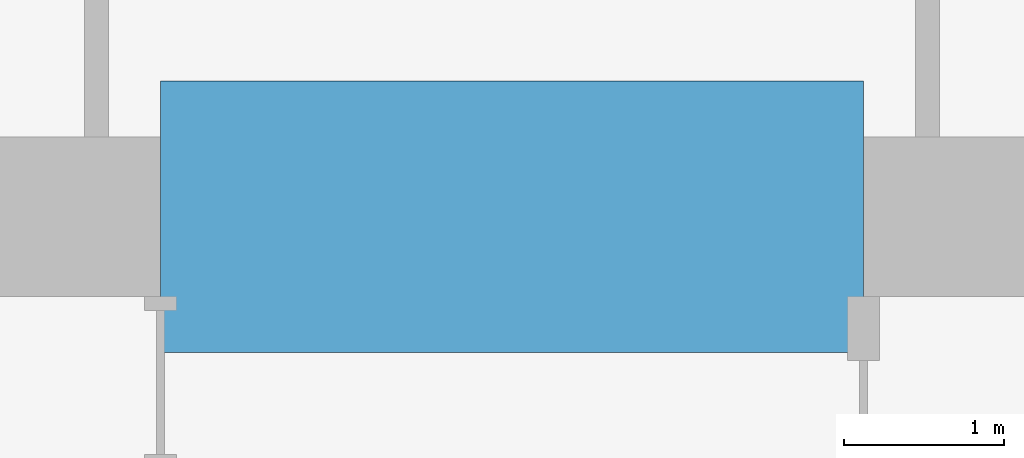
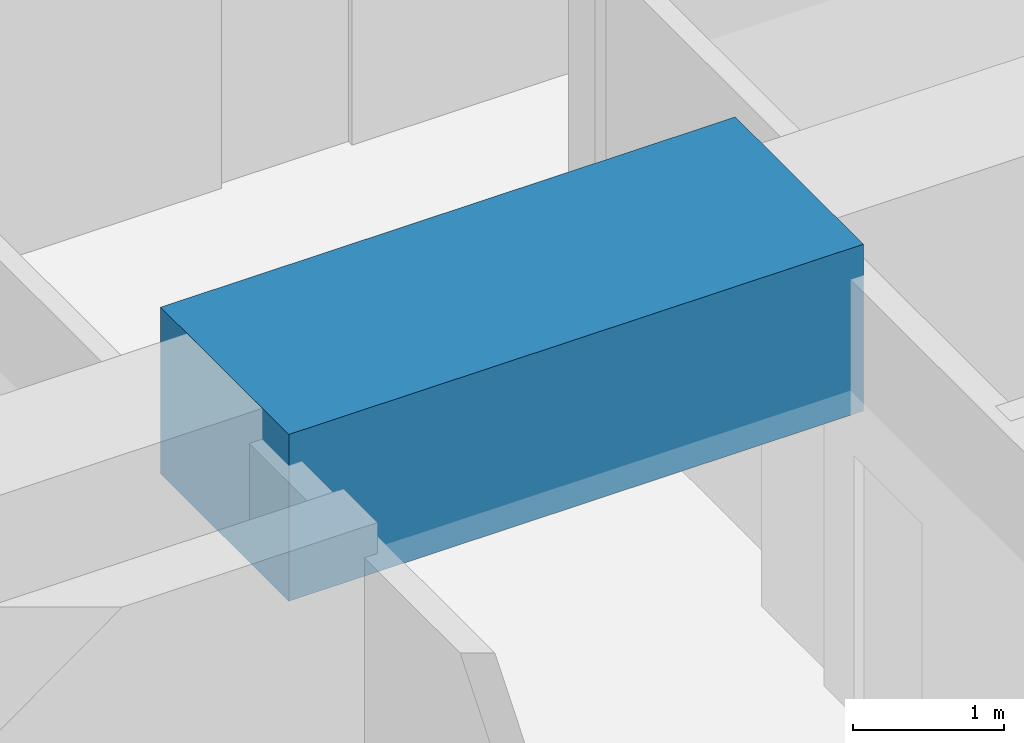
# One storey, part 18 of 40: 1 beam.
"""IFC4 building model written with IfcOpenShell, lengths in metres."""

from ifc_helpers import new_model, si_unit, direction, frame, origin, origin_2d, place, context, subcontext, project, spatial, rectangle, extrude, material, material_profile, profile_set, type_object, element, save


model = new_model("IFC4")

# Units and contexts
model_context = context("Model", 3, precision=1e-05, world=origin(), true_north=direction((0.0, 1.0)))
body_context = subcontext(model_context, "Body", "Model", "MODEL_VIEW")
ifc_project = project(units=[si_unit("LENGTHUNIT", "METRE"), si_unit("AREAUNIT", "SQUARE_METRE"), si_unit("VOLUMEUNIT", "CUBIC_METRE"), si_unit("PLANEANGLEUNIT", "RADIAN"), si_unit("MASSUNIT", "GRAM", prefix="KILO")], contexts=[model_context])

# Site, building, storey
site_placement = place(None, origin())
site = spatial("IfcSite", under=ifc_project, at=site_placement, CompositionType="ELEMENT")
building_placement = place(site_placement, origin())
building = spatial("IfcBuilding", under=site, at=building_placement, Name="Rekha Terrace Tower", CompositionType="ELEMENT")
storey_placement = place(building_placement, frame((0.0, 0.0, 117.800048828125)))
storey = spatial("IfcBuildingStorey", under=building, at=storey_placement, Name="L29", CompositionType="ELEMENT", Elevation=117.800048828125)

# Beam
ifc_material = material(Name="Concrete M70", Category="concrete")
ifc_material_profile = material_profile(ifc_material, rectangle(XDim=1.699951171875, YDim=1.35009765625, at=origin_2d()), Name="RC 1700x1350")
ifc_profile_set = profile_set([ifc_material_profile], Name="Concrete M70")
beam_type = type_object("IfcBeamType", Name="LB2A 1700x1350 diagonally reinforced coupling beam", PredefinedType="LINTEL", material=ifc_profile_set)
beam_placement = place(storey_placement, frame((35.60009765625, 46.199951171875, 3.074951171875), z_axis=(1.0, 0.0, 0.0), x_axis=(0.0, 1.0, 0.0)))
element("IfcBeam", 1, at=beam_placement, inside=storey, type_object=beam_type, Name="Coupling beam LB2A N L29", PredefinedType="LINTEL", context=body_context, shape_type="SweptSolid", body=[
    extrude(rectangle(XDim=1.699951171875, YDim=1.35009765625, at=origin_2d()), origin(), (0.0, 0.0, 1.0), 4.39990234375),
])

save(model, "model.ifc")
